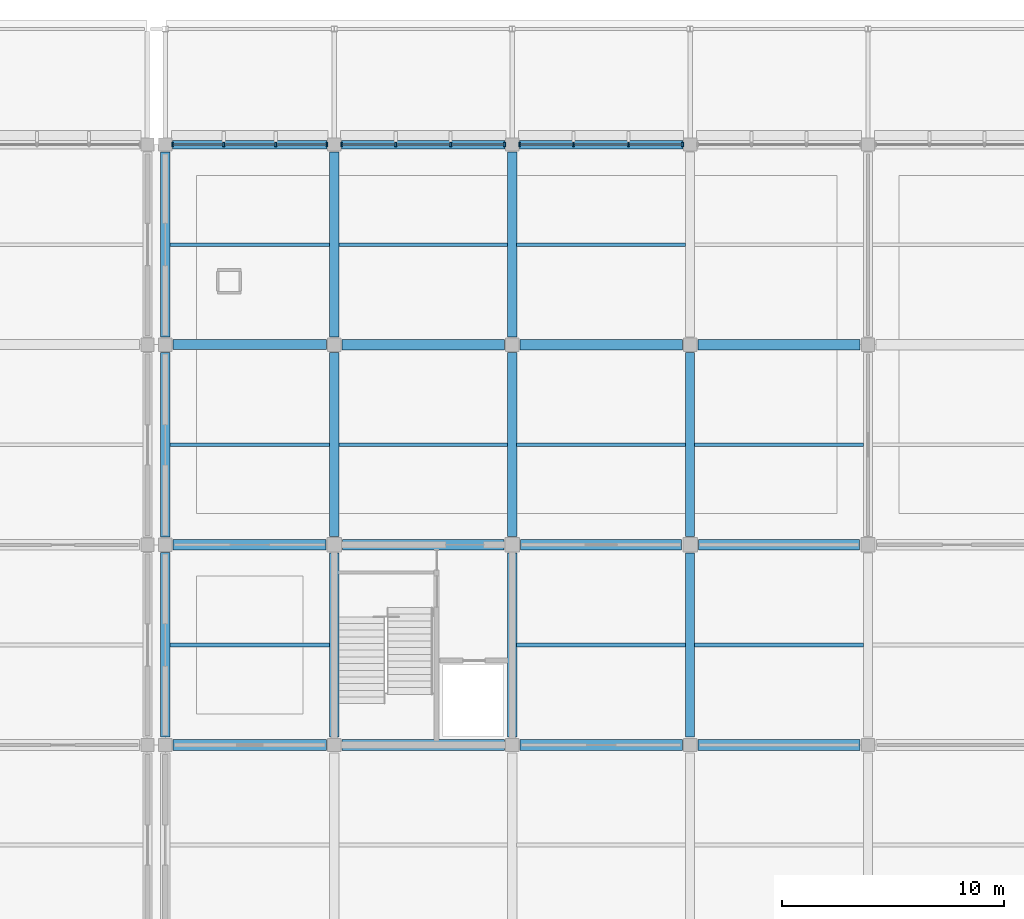
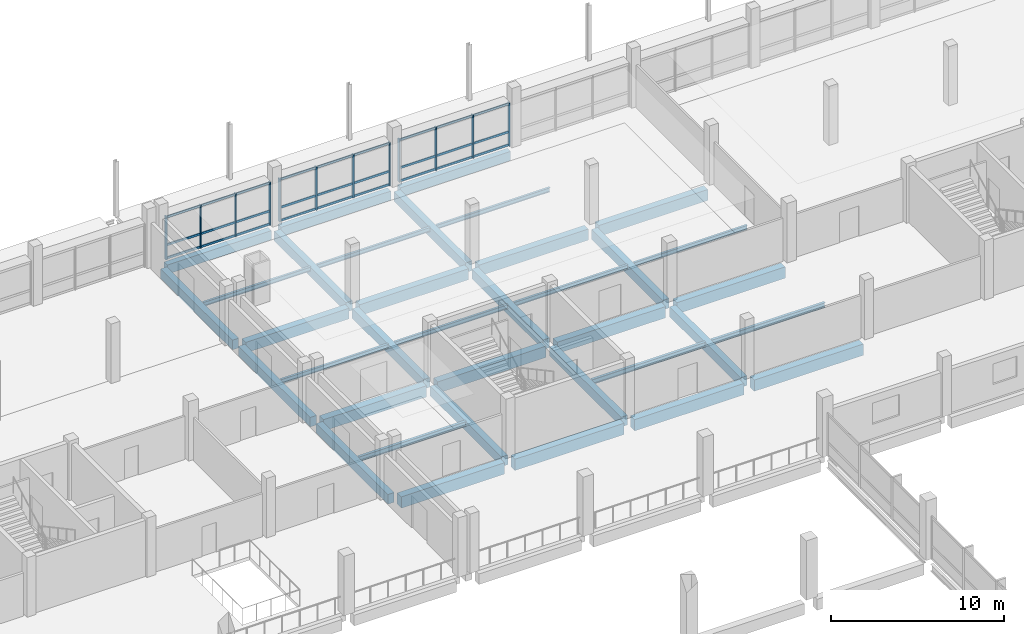
# One storey, part 20 of 57: 39 members, 36 beams, 3 elements without a shape of their own.
"""IFC4 building model written with IfcOpenShell, lengths in metres."""

from ifc_helpers import new_model, si_unit, direction, frame, origin, origin_2d, place, context, subcontext, project, spatial, rectangle, i_section, extrude, material, material_profile, profile_set, type_object, element, aggregate, save


model = new_model("IFC4")

# Units and contexts
model_context = context("Model", 3, precision=1e-05, world=origin(), true_north=direction((0.0, 1.0)))
body_context = subcontext(model_context, "Body", "Model", "MODEL_VIEW")
ifc_project = project(units=[si_unit("LENGTHUNIT", "METRE"), si_unit("AREAUNIT", "SQUARE_METRE"), si_unit("VOLUMEUNIT", "CUBIC_METRE"), si_unit("PLANEANGLEUNIT", "RADIAN"), si_unit("MASSUNIT", "GRAM", prefix="KILO"), si_unit("THERMODYNAMICTEMPERATUREUNIT", "KELVIN"), si_unit("POWERUNIT", "WATT")], contexts=[model_context])

# Site, building, storey
site_placement = place(None, origin())
site = spatial("IfcSite", under=ifc_project, at=site_placement, CompositionType="ELEMENT")
building_placement = place(site_placement, origin())
building = spatial("IfcBuilding", under=site, at=building_placement, Name="Kronsvod Quay Wholesale Market", CompositionType="ELEMENT")
storey_placement = place(building_placement, frame((0.0, 0.0, 4.800048828125)))
storey = spatial("IfcBuildingStorey", under=building, at=storey_placement, Name="L01", CompositionType="ELEMENT", Elevation=4.800048828125)

# Beams
ifc_material_1 = material(Name="Precast concrete C40/50", Category="concrete")
ifc_material_profile_1 = material_profile(ifc_material_1, rectangle(XDim=0.419921875, YDim=0.679931640625, at=origin_2d()), Name="PB-05")
ifc_profile_set_1 = profile_set([ifc_material_profile_1], Name="Precast concrete C40/50")
beam_type_1 = type_object("IfcBeamType", Name="Beam_PCB420x680", PredefinedType="BEAM", material=ifc_profile_set_1)
for number, where, z_axis, x_axis, name in (
    (1, (64.39990234375, 99.35009765625, -0.64013671875), (0.0, 1.0, 0.0), (-1.0, 0.0, 0.0), "BMY-L01-644-990"),
    (2, (64.39990234375, 108.35009765625, -0.64013671875), (0.0, 1.0, 0.0), (-1.0, 0.0, 0.0), "BMY-L01-644-1080"),
):
    element("IfcBeam", number, at=place(storey_placement, frame(where, z_axis=z_axis, x_axis=x_axis)), inside=storey, type_object=beam_type_1, Name=name, PredefinedType="BEAM", context=body_context, shape_type="SweptSolid", body=[
        extrude(rectangle(XDim=0.419921875, YDim=0.679931640625, at=origin_2d()), origin(), (0.0, 0.0, 1.0), 8.2998046875),
    ])
beam_1_placement = place(storey_placement, frame((64.39990234375, 117.35009765625, -0.64013671875), z_axis=(0.0, 1.0, 0.0), x_axis=(-1.0, 0.0, 0.0)))
element("IfcBeam", 3, at=beam_1_placement, inside=storey, type_object=beam_type_1, Name="BMY-L01-644-1170", PredefinedType="BEAM", context=body_context, shape_type="SweptSolid", body=[
    extrude(rectangle(XDim=0.419921875, YDim=0.679931640625, at=origin_2d()), origin(), (0.0, 0.0, 1.0), 8.324951171875),
])
for number, where, z_axis, x_axis, name in (
    (4, (72.0, 99.35009765625, -0.64013671875), (0.0, 1.0, 0.0), (-1.0, 0.0, 0.0), "BMY-L01-720-990"),
    (5, (72.0, 108.375, -0.64013671875), (0.0, 1.0, 0.0), (-1.0, 0.0, 0.0), "BMY-L01-720-1080"),
):
    element("IfcBeam", number, at=place(storey_placement, frame(where, z_axis=z_axis, x_axis=x_axis)), inside=storey, type_object=beam_type_1, Name=name, PredefinedType="BEAM", context=body_context, shape_type="SweptSolid", body=[
        extrude(rectangle(XDim=0.419921875, YDim=0.679931640625, at=origin_2d()), origin(), (0.0, 0.0, 1.0), 8.27490234375),
    ])
beam_2_placement = place(storey_placement, frame((72.0, 117.35009765625, -0.64013671875), z_axis=(0.0, 1.0, 0.0), x_axis=(-1.0, 0.0, 0.0)))
element("IfcBeam", 6, at=beam_2_placement, inside=storey, type_object=beam_type_1, Name="BMY-L01-720-1170", PredefinedType="BEAM", context=body_context, shape_type="SweptSolid", body=[
    extrude(rectangle(XDim=0.419921875, YDim=0.679931640625, at=origin_2d()), origin(), (0.0, 0.0, 1.0), 8.324951171875),
])
for number, where, z_axis, x_axis, name in (
    (7, (80.0, 99.35009765625, -0.64013671875), (0.0, 1.0, 0.0), (-1.0, 0.0, 0.0), "BMY-L01-800-990"),
    (8, (80.0, 108.375, -0.64013671875), (0.0, 1.0, 0.0), (-1.0, 0.0, 0.0), "BMY-L01-800-1080"),
):
    element("IfcBeam", number, at=place(storey_placement, frame(where, z_axis=z_axis, x_axis=x_axis)), inside=storey, type_object=beam_type_1, Name=name, PredefinedType="BEAM", context=body_context, shape_type="SweptSolid", body=[
        extrude(rectangle(XDim=0.419921875, YDim=0.679931640625, at=origin_2d()), origin(), (0.0, 0.0, 1.0), 8.27490234375),
    ])
beam_3_placement = place(storey_placement, frame((80.0, 117.35009765625, -0.64013671875), z_axis=(0.0, 1.0, 0.0), x_axis=(-1.0, 0.0, 0.0)))
element("IfcBeam", 9, at=beam_3_placement, inside=storey, type_object=beam_type_1, Name="BMY-L01-800-1170", PredefinedType="BEAM", context=body_context, shape_type="SweptSolid", body=[
    extrude(rectangle(XDim=0.419921875, YDim=0.679931640625, at=origin_2d()), origin(), (0.0, 0.0, 1.0), 8.324951171875),
])
for number, where, z_axis, x_axis, name in (
    (10, (88.0, 99.35009765625, -0.64013671875), (0.0, 1.0, 0.0), (-1.0, 0.0, 0.0), "BMY-L01-880-990"),
    (11, (88.0, 108.375, -0.64013671875), (0.0, 1.0, 0.0), (-1.0, 0.0, 0.0), "BMY-L01-880-1080"),
):
    element("IfcBeam", number, at=place(storey_placement, frame(where, z_axis=z_axis, x_axis=x_axis)), inside=storey, type_object=beam_type_1, Name=name, PredefinedType="BEAM", context=body_context, shape_type="SweptSolid", body=[
        extrude(rectangle(XDim=0.419921875, YDim=0.679931640625, at=origin_2d()), origin(), (0.0, 0.0, 1.0), 8.27490234375),
    ])
ifc_material_2 = material(Name="Precast concrete C40/50", Category="concrete")
ifc_material_profile_2 = material_profile(ifc_material_2, rectangle(XDim=0.449951171875, YDim=0.75, at=origin_2d()), Name="PCB450x750")
ifc_profile_set_2 = profile_set([ifc_material_profile_2], Name="Precast concrete C40/50")
beam_type_2 = type_object("IfcBeamType", Name="Beam_PCB450x750", PredefinedType="BEAM", material=ifc_profile_set_2)
beam_4_placement = place(storey_placement, frame((64.75, 117.0, -0.675048828125), z_axis=(1.0, 0.0, 0.0), x_axis=(0.0, 1.0, 0.0)))
element("IfcBeam", 12, at=beam_4_placement, inside=storey, type_object=beam_type_2, Name="BMX-L01-644-1170", PredefinedType="BEAM", context=body_context, shape_type="SweptSolid", body=[
    extrude(rectangle(XDim=0.449951171875, YDim=0.75, at=origin_2d()), origin(), (0.0, 0.0, 1.0), 6.89990234375),
])
ifc_material_3 = material(Name="Precast concrete C40/50", Category="concrete")
ifc_material_profile_3 = material_profile(ifc_material_3, rectangle(XDim=0.4599609375, YDim=0.780029296875, at=origin_2d()), Name="PB-03")
ifc_profile_set_3 = profile_set([ifc_material_profile_3], Name="Precast concrete C40/50")
beam_type_3 = type_object("IfcBeamType", Name="Beam_PCB460x780", PredefinedType="BEAM", material=ifc_profile_set_3)
for number, where, z_axis, x_axis, name in (
    (13, (72.35009765625, 117.0, -0.68994140625), (1.0, 0.0, 0.0), (0.0, 1.0, 0.0), "BMX-L01-720-1170"),
    (14, (80.35009765625, 117.0, -0.68994140625), (1.0, 0.0, 0.0), (0.0, 1.0, 0.0), "BMX-L01-800-1170"),
    (15, (88.35009765625, 117.0, -0.68994140625), (1.0, 0.0, 0.0), (0.0, 1.0, 0.0), "BMX-L01-880-1170"),
):
    element("IfcBeam", number, at=place(storey_placement, frame(where, z_axis=z_axis, x_axis=x_axis)), inside=storey, type_object=beam_type_3, Name=name, PredefinedType="BEAM", context=body_context, shape_type="SweptSolid", body=[
        extrude(rectangle(XDim=0.4599609375, YDim=0.780029296875, at=origin_2d()), origin(), (0.0, 0.0, 1.0), 7.2998046875),
    ])
ifc_material_4 = material(Name="Precast concrete C40/50", Category="concrete")
ifc_material_profile_4 = material_profile(ifc_material_4, rectangle(XDim=0.47998046875, YDim=0.800048828125, at=origin_2d()), Name="PB-04")
ifc_profile_set_4 = profile_set([ifc_material_profile_4], Name="Precast concrete C40/50")
beam_type_4 = type_object("IfcBeamType", Name="Beam_PCB480x800", PredefinedType="BEAM", material=ifc_profile_set_4)
beam_5_placement = place(storey_placement, frame((64.75, 99.0, -0.699951171875), z_axis=(1.0, 0.0, 0.0), x_axis=(0.0, 1.0, 0.0)))
element("IfcBeam", 16, at=beam_5_placement, inside=storey, type_object=beam_type_4, Name="BMX-L01-644-990", PredefinedType="BEAM", context=body_context, shape_type="SweptSolid", body=[
    extrude(rectangle(XDim=0.47998046875, YDim=0.800048828125, at=origin_2d()), origin(), (0.0, 0.0, 1.0), 6.89990234375),
])
for number, where, z_axis, x_axis, name in (
    (17, (72.35009765625, 99.0, -0.699951171875), (1.0, 0.0, 0.0), (0.0, 1.0, 0.0), "BMX-L01-720-990"),
    (18, (80.35009765625, 99.0, -0.699951171875), (1.0, 0.0, 0.0), (0.0, 1.0, 0.0), "BMX-L01-800-990"),
    (19, (88.35009765625, 99.0, -0.699951171875), (1.0, 0.0, 0.0), (0.0, 1.0, 0.0), "BMX-L01-880-990"),
):
    element("IfcBeam", number, at=place(storey_placement, frame(where, z_axis=z_axis, x_axis=x_axis)), inside=storey, type_object=beam_type_4, Name=name, PredefinedType="BEAM", context=body_context, shape_type="SweptSolid", body=[
        extrude(rectangle(XDim=0.47998046875, YDim=0.800048828125, at=origin_2d()), origin(), (0.0, 0.0, 1.0), 7.2998046875),
    ])
beam_6_placement = place(storey_placement, frame((64.75, 108.0, -0.699951171875), z_axis=(1.0, 0.0, 0.0), x_axis=(0.0, 1.0, 0.0)))
element("IfcBeam", 20, at=beam_6_placement, inside=storey, type_object=beam_type_4, Name="BMX-L01-644-1080", PredefinedType="BEAM", context=body_context, shape_type="SweptSolid", body=[
    extrude(rectangle(XDim=0.47998046875, YDim=0.800048828125, at=origin_2d()), origin(), (0.0, 0.0, 1.0), 6.875),
])
for number, where, z_axis, x_axis, name in (
    (21, (72.375, 108.0, -0.699951171875), (1.0, 0.0, 0.0), (0.0, 1.0, 0.0), "BMX-L01-720-1080"),
    (22, (80.375, 108.0, -0.699951171875), (1.0, 0.0, 0.0), (0.0, 1.0, 0.0), "BMX-L01-800-1080"),
    (23, (88.375, 108.0, -0.699951171875), (1.0, 0.0, 0.0), (0.0, 1.0, 0.0), "BMX-L01-880-1080"),
):
    element("IfcBeam", number, at=place(storey_placement, frame(where, z_axis=z_axis, x_axis=x_axis)), inside=storey, type_object=beam_type_4, Name=name, PredefinedType="BEAM", context=body_context, shape_type="SweptSolid", body=[
        extrude(rectangle(XDim=0.47998046875, YDim=0.800048828125, at=origin_2d()), origin(), (0.0, 0.0, 1.0), 7.25),
    ])
ifc_material_5 = material(Name="Steel S355", Category="steel")
ifc_material_profile_5 = material_profile(ifc_material_5, i_section(OverallWidth=0.14892578125, OverallDepth=0.298095703125, WebThickness=0.005615234375, FlangeThickness=0.008056640625, FilletRadius=0.012939453125, at=origin_2d()), Name="30B1")
ifc_profile_set_5 = profile_set([ifc_material_profile_5], Name="Steel S355")
beam_type_5 = type_object("IfcBeamType", Name="Joist_Steel30B1", PredefinedType="JOIST", material=ifc_profile_set_5)
for number, where, z_axis, x_axis, name in (
    (24, (64.60498046875, 112.5, -0.399169921875), (1.0, 0.0, 0.0), (0.0, 1.0, 0.0), "JSTX-L01-644-1080"),
    (25, (64.60498046875, 121.5, -0.399169921875), (1.0, 0.0, 0.0), (0.0, 1.0, 0.0), "JSTX-L01-644-1170"),
):
    element("IfcBeam", number, at=place(storey_placement, frame(where, z_axis=z_axis, x_axis=x_axis)), inside=storey, type_object=beam_type_5, Name=name, PredefinedType="JOIST", context=body_context, shape_type="SweptSolid", body=[
        extrude(i_section(OverallWidth=0.14892578125, OverallDepth=0.298095703125, WebThickness=0.005615234375, FlangeThickness=0.008056640625, FilletRadius=0.012939453125, at=origin_2d()), origin(), (0.0, 0.0, 1.0), 7.18994140625),
    ])
for number, where, z_axis, x_axis, name in (
    (26, (72.205078125, 112.5, -0.399169921875), (1.0, 0.0, 0.0), (0.0, 1.0, 0.0), "JSTX-L01-720-1080"),
    (27, (72.205078125, 121.5, -0.399169921875), (1.0, 0.0, 0.0), (0.0, 1.0, 0.0), "JSTX-L01-720-1170"),
    (28, (80.205078125, 112.5, -0.399169921875), (1.0, 0.0, 0.0), (0.0, 1.0, 0.0), "JSTX-L01-800-1080"),
    (29, (80.205078125, 121.5, -0.399169921875), (1.0, 0.0, 0.0), (0.0, 1.0, 0.0), "JSTX-L01-800-1170"),
    (30, (88.205078125, 112.5, -0.399169921875), (1.0, 0.0, 0.0), (0.0, 1.0, 0.0), "JSTX-L01-880-1080"),
):
    element("IfcBeam", number, at=place(storey_placement, frame(where, z_axis=z_axis, x_axis=x_axis)), inside=storey, type_object=beam_type_5, Name=name, PredefinedType="JOIST", context=body_context, shape_type="SweptSolid", body=[
        extrude(i_section(OverallWidth=0.14892578125, OverallDepth=0.298095703125, WebThickness=0.005615234375, FlangeThickness=0.008056640625, FilletRadius=0.012939453125, at=origin_2d()), origin(), (0.0, 0.0, 1.0), 7.58984375),
    ])
ifc_material_6 = material(Name="Steel S355", Category="steel")
ifc_material_profile_6 = material_profile(ifc_material_6, i_section(OverallWidth=0.175048828125, OverallDepth=0.35009765625, WebThickness=0.007080078125, FlangeThickness=0.010986328125, FilletRadius=0.013916015625, at=origin_2d()), Name="35B2")
ifc_profile_set_6 = profile_set([ifc_material_profile_6], Name="Steel S355")
beam_type_6 = type_object("IfcBeamType", Name="Joist_Steel35B2", PredefinedType="JOIST", material=ifc_profile_set_6)
beam_7_placement = place(storey_placement, frame((64.60498046875, 103.5, -0.425048828125), z_axis=(1.0, 0.0, 0.0), x_axis=(0.0, 1.0, 0.0)))
element("IfcBeam", 31, at=beam_7_placement, inside=storey, type_object=beam_type_6, Name="JSTX-L01-644-990", PredefinedType="JOIST", context=body_context, shape_type="SweptSolid", body=[
    extrude(i_section(OverallWidth=0.175048828125, OverallDepth=0.35009765625, WebThickness=0.007080078125, FlangeThickness=0.010986328125, FilletRadius=0.013916015625, at=origin_2d()), origin(), (0.0, 0.0, 1.0), 7.18994140625),
])
for number, where, z_axis, x_axis, name in (
    (32, (80.205078125, 103.5, -0.425048828125), (1.0, 0.0, 0.0), (0.0, 1.0, 0.0), "JSTX-L01-800-990"),
    (33, (88.205078125, 103.5, -0.425048828125), (1.0, 0.0, 0.0), (0.0, 1.0, 0.0), "JSTX-L01-880-990"),
):
    element("IfcBeam", number, at=place(storey_placement, frame(where, z_axis=z_axis, x_axis=x_axis)), inside=storey, type_object=beam_type_6, Name=name, PredefinedType="JOIST", context=body_context, shape_type="SweptSolid", body=[
        extrude(i_section(OverallWidth=0.175048828125, OverallDepth=0.35009765625, WebThickness=0.007080078125, FlangeThickness=0.010986328125, FilletRadius=0.013916015625, at=origin_2d()), origin(), (0.0, 0.0, 1.0), 7.58984375),
    ])

# Curtain wall, members
ifc_material_7 = material(Name="Thermally broken aluminium and triple low-E glazing", Category="aluminium")
curtain_wall_type_1 = type_object("IfcCurtainWallType", Name="CW_Harbour76x33", PredefinedType="NOTDEFINED", material=ifc_material_7)
curtain_wall_1_placement = place(storey_placement, origin())
curtain_wall_1 = element("IfcCurtainWall", 34, at=curtain_wall_1_placement, inside=storey, type_object=curtain_wall_type_1, Name="CWGX-L01-644-1260", PredefinedType="NOTDEFINED")
ifc_material_8 = material(Name="Anodised aluminium", Category="aluminium")
ifc_material_profile_7 = material_profile(ifc_material_8, rectangle(XDim=0.074951171875, YDim=0.199951171875, at=origin_2d()), Name="ALUM75x200")
ifc_profile_set_7 = profile_set([ifc_material_profile_7], Name="Anodised aluminium")
member_type_1 = type_object("IfcMemberType", Name="Mullion_ALU75x200", PredefinedType="MULLION", material=ifc_profile_set_7)
member_1_placement = place(storey_placement, frame((71.66748046875, 126.0, 0.0), z_axis=(0.0, 0.0, 1.0), x_axis=(1.0, 0.0, 0.0)))
member_1 = element("IfcMember", 35, at=member_1_placement, type_object=member_type_1, Name="CWGX-L01-644-1260-M1", PredefinedType="MULLION", context=body_context, shape_type="SweptSolid", body=[
    extrude(rectangle(XDim=0.074951171875, YDim=0.199951171875, at=origin_2d()), origin(), (0.0, 0.0, 1.0), 3.050048828125),
])
member_2_placement = place(storey_placement, frame((69.368408203125, 126.0, 0.0), z_axis=(0.0, 0.0, 1.0), x_axis=(1.0, 0.0, 0.0)))
member_2 = element("IfcMember", 36, at=member_2_placement, type_object=member_type_1, Name="CWGX-L01-644-1260-M2", PredefinedType="MULLION", context=body_context, shape_type="SweptSolid", body=[
    extrude(rectangle(XDim=0.074951171875, YDim=0.199951171875, at=origin_2d()), origin(), (0.0, 0.0, 1.0), 3.050048828125),
])
member_3_placement = place(storey_placement, frame((67.03173828125, 126.0, 0.0), z_axis=(0.0, 0.0, 1.0), x_axis=(1.0, 0.0, 0.0)))
member_3 = element("IfcMember", 37, at=member_3_placement, type_object=member_type_1, Name="CWGX-L01-644-1260-M3", PredefinedType="MULLION", context=body_context, shape_type="SweptSolid", body=[
    extrude(rectangle(XDim=0.074951171875, YDim=0.199951171875, at=origin_2d()), origin(), (0.0, 0.0, 1.0), 3.050048828125),
])
member_4_placement = place(storey_placement, frame((64.732421875, 126.0, 0.0), z_axis=(0.0, 0.0, 1.0), x_axis=(1.0, 0.0, 0.0)))
member_4 = element("IfcMember", 38, at=member_4_placement, type_object=member_type_1, Name="CWGX-L01-644-1260-M4", PredefinedType="MULLION", context=body_context, shape_type="SweptSolid", body=[
    extrude(rectangle(XDim=0.074951171875, YDim=0.199951171875, at=origin_2d()), origin(), (0.0, 0.0, 1.0), 3.050048828125),
])

ifc_material_9 = material(Name="Thermally broken aluminium and triple low-E glazing", Category="aluminium")
curtain_wall_type_2 = type_object("IfcCurtainWallType", Name="CW_Harbour80x33", PredefinedType="NOTDEFINED", material=ifc_material_9)
curtain_wall_2_placement = place(storey_placement, origin())
curtain_wall_2 = element("IfcCurtainWall", 39, at=curtain_wall_2_placement, inside=storey, type_object=curtain_wall_type_2, Name="CWGX-L01-720-1260", PredefinedType="NOTDEFINED")
member_5_placement = place(storey_placement, frame((79.66748046875, 126.0, 0.0), z_axis=(0.0, 0.0, 1.0), x_axis=(1.0, 0.0, 0.0)))
member_5 = element("IfcMember", 40, at=member_5_placement, type_object=member_type_1, Name="CWGX-L01-720-1260-M1", PredefinedType="MULLION", context=body_context, shape_type="SweptSolid", body=[
    extrude(rectangle(XDim=0.074951171875, YDim=0.199951171875, at=origin_2d()), origin(), (0.0, 0.0, 1.0), 3.050048828125),
])
member_6_placement = place(storey_placement, frame((77.235107421875, 126.0, 0.0), z_axis=(0.0, 0.0, 1.0), x_axis=(1.0, 0.0, 0.0)))
member_6 = element("IfcMember", 41, at=member_6_placement, type_object=member_type_1, Name="CWGX-L01-720-1260-M2", PredefinedType="MULLION", context=body_context, shape_type="SweptSolid", body=[
    extrude(rectangle(XDim=0.074951171875, YDim=0.199951171875, at=origin_2d()), origin(), (0.0, 0.0, 1.0), 3.050048828125),
])
member_7_placement = place(storey_placement, frame((74.764892578125, 126.0, 0.0), z_axis=(0.0, 0.0, 1.0), x_axis=(1.0, 0.0, 0.0)))
member_7 = element("IfcMember", 42, at=member_7_placement, type_object=member_type_1, Name="CWGX-L01-720-1260-M3", PredefinedType="MULLION", context=body_context, shape_type="SweptSolid", body=[
    extrude(rectangle(XDim=0.074951171875, YDim=0.199951171875, at=origin_2d()), origin(), (0.0, 0.0, 1.0), 3.050048828125),
])
member_8_placement = place(storey_placement, frame((72.33251953125, 126.0, 0.0), z_axis=(0.0, 0.0, 1.0), x_axis=(1.0, 0.0, 0.0)))
member_8 = element("IfcMember", 43, at=member_8_placement, type_object=member_type_1, Name="CWGX-L01-720-1260-M4", PredefinedType="MULLION", context=body_context, shape_type="SweptSolid", body=[
    extrude(rectangle(XDim=0.074951171875, YDim=0.199951171875, at=origin_2d()), origin(), (0.0, 0.0, 1.0), 3.050048828125),
])

curtain_wall_3_placement = place(storey_placement, origin())
curtain_wall_3 = element("IfcCurtainWall", 44, at=curtain_wall_3_placement, inside=storey, type_object=curtain_wall_type_2, Name="CWGX-L01-800-1260", PredefinedType="NOTDEFINED")
member_9_placement = place(storey_placement, frame((87.66748046875, 126.0, 0.0), z_axis=(0.0, 0.0, 1.0), x_axis=(1.0, 0.0, 0.0)))
member_9 = element("IfcMember", 45, at=member_9_placement, type_object=member_type_1, Name="CWGX-L01-800-1260-M1", PredefinedType="MULLION", context=body_context, shape_type="SweptSolid", body=[
    extrude(rectangle(XDim=0.074951171875, YDim=0.199951171875, at=origin_2d()), origin(), (0.0, 0.0, 1.0), 3.050048828125),
])
member_10_placement = place(storey_placement, frame((85.235107421875, 126.0, 0.0), z_axis=(0.0, 0.0, 1.0), x_axis=(1.0, 0.0, 0.0)))
member_10 = element("IfcMember", 46, at=member_10_placement, type_object=member_type_1, Name="CWGX-L01-800-1260-M2", PredefinedType="MULLION", context=body_context, shape_type="SweptSolid", body=[
    extrude(rectangle(XDim=0.074951171875, YDim=0.199951171875, at=origin_2d()), origin(), (0.0, 0.0, 1.0), 3.050048828125),
])
member_11_placement = place(storey_placement, frame((82.764892578125, 126.0, 0.0), z_axis=(0.0, 0.0, 1.0), x_axis=(1.0, 0.0, 0.0)))
member_11 = element("IfcMember", 47, at=member_11_placement, type_object=member_type_1, Name="CWGX-L01-800-1260-M3", PredefinedType="MULLION", context=body_context, shape_type="SweptSolid", body=[
    extrude(rectangle(XDim=0.074951171875, YDim=0.199951171875, at=origin_2d()), origin(), (0.0, 0.0, 1.0), 3.050048828125),
])
member_12_placement = place(storey_placement, frame((80.33251953125, 126.0, 0.0), z_axis=(0.0, 0.0, 1.0), x_axis=(1.0, 0.0, 0.0)))
member_12 = element("IfcMember", 48, at=member_12_placement, type_object=member_type_1, Name="CWGX-L01-800-1260-M4", PredefinedType="MULLION", context=body_context, shape_type="SweptSolid", body=[
    extrude(rectangle(XDim=0.074951171875, YDim=0.199951171875, at=origin_2d()), origin(), (0.0, 0.0, 1.0), 3.050048828125),
])

# Beams
ifc_material_10 = material(Name="Precast concrete C40/50", Category="concrete")
ifc_material_profile_8 = material_profile(ifc_material_10, rectangle(XDim=0.3798828125, YDim=0.64990234375, at=origin_2d()), Name="SPB-03")
ifc_profile_set_8 = profile_set([ifc_material_profile_8], Name="Precast concrete C40/50")
beam_type_7 = type_object("IfcBeamType", Name="Spandrel_PCSP380x650", PredefinedType="SPANDREL", material=ifc_profile_set_8)
beam_8_placement = place(storey_placement, frame((64.72509765625, 126.0, -0.625), z_axis=(1.0, 0.0, 0.0), x_axis=(0.0, 1.0, 0.0)))
element("IfcBeam", 49, at=beam_8_placement, inside=storey, type_object=beam_type_7, Name="BMX-L01-644-1260", PredefinedType="SPANDREL", context=body_context, shape_type="SweptSolid", body=[
    extrude(rectangle(XDim=0.3798828125, YDim=0.64990234375, at=origin_2d()), origin(), (0.0, 0.0, 1.0), 6.949951171875),
])
for number, where, z_axis, x_axis, name in (
    (50, (72.324951171875, 126.0, -0.625), (1.0, 0.0, 0.0), (0.0, 1.0, 0.0), "BMX-L01-720-1260"),
    (51, (80.324951171875, 126.0, -0.625), (1.0, 0.0, 0.0), (0.0, 1.0, 0.0), "BMX-L01-800-1260"),
):
    element("IfcBeam", number, at=place(storey_placement, frame(where, z_axis=z_axis, x_axis=x_axis)), inside=storey, type_object=beam_type_7, Name=name, PredefinedType="SPANDREL", context=body_context, shape_type="SweptSolid", body=[
        extrude(rectangle(XDim=0.3798828125, YDim=0.64990234375, at=origin_2d()), origin(), (0.0, 0.0, 1.0), 7.35009765625),
    ])

# Member
ifc_material_11 = material(Name="Anodised aluminium", Category="aluminium")
ifc_material_profile_9 = material_profile(ifc_material_11, rectangle(XDim=0.074951171875, YDim=0.14990234375, at=origin_2d()), Name="ALUT75x150")
ifc_profile_set_9 = profile_set([ifc_material_profile_9], Name="Anodised aluminium")
member_type_2 = type_object("IfcMemberType", Name="Transom_ALU75x150", PredefinedType="USERDEFINED", material=ifc_profile_set_9)
member_13_placement = place(storey_placement, frame((71.6298828125, 126.0, 0.074951171875), z_axis=(-1.0, 0.0, 0.0), x_axis=(0.0, -1.0, 0.0)))
member_13 = element("IfcMember", 52, at=member_13_placement, type_object=member_type_2, Name="CWGX-L01-644-1260-T1B1", ObjectType="TRANSOM", PredefinedType="USERDEFINED", context=body_context, shape_type="SweptSolid", body=[
    extrude(rectangle(XDim=0.074951171875, YDim=0.14990234375, at=origin_2d()), origin(), (0.0, 0.0, 1.0), 2.22412109375),
])

member_14_placement = place(storey_placement, frame((69.330810546875, 126.0, 0.074951171875), z_axis=(-1.0, 0.0, 0.0), x_axis=(0.0, -1.0, 0.0)))
member_14 = element("IfcMember", 53, at=member_14_placement, type_object=member_type_2, Name="CWGX-L01-644-1260-T1B2", ObjectType="TRANSOM", PredefinedType="USERDEFINED", context=body_context, shape_type="SweptSolid", body=[
    extrude(rectangle(XDim=0.074951171875, YDim=0.14990234375, at=origin_2d()), origin(), (0.0, 0.0, 1.0), 2.26171875),
])

member_15_placement = place(storey_placement, frame((66.994140625, 126.0, 0.074951171875), z_axis=(-1.0, 0.0, 0.0), x_axis=(0.0, -1.0, 0.0)))
member_15 = element("IfcMember", 54, at=member_15_placement, type_object=member_type_2, Name="CWGX-L01-644-1260-T1B3", ObjectType="TRANSOM", PredefinedType="USERDEFINED", context=body_context, shape_type="SweptSolid", body=[
    extrude(rectangle(XDim=0.074951171875, YDim=0.14990234375, at=origin_2d()), origin(), (0.0, 0.0, 1.0), 2.22412109375),
])

member_16_placement = place(storey_placement, frame((71.6298828125, 126.0, 1.0), z_axis=(-1.0, 0.0, 0.0), x_axis=(0.0, -1.0, 0.0)))
member_16 = element("IfcMember", 55, at=member_16_placement, type_object=member_type_2, Name="CWGX-L01-644-1260-T2B1", ObjectType="TRANSOM", PredefinedType="USERDEFINED", context=body_context, shape_type="SweptSolid", body=[
    extrude(rectangle(XDim=0.074951171875, YDim=0.14990234375, at=origin_2d()), origin(), (0.0, 0.0, 1.0), 2.22412109375),
])

member_17_placement = place(storey_placement, frame((69.330810546875, 126.0, 1.0), z_axis=(-1.0, 0.0, 0.0), x_axis=(0.0, -1.0, 0.0)))
member_17 = element("IfcMember", 56, at=member_17_placement, type_object=member_type_2, Name="CWGX-L01-644-1260-T2B2", ObjectType="TRANSOM", PredefinedType="USERDEFINED", context=body_context, shape_type="SweptSolid", body=[
    extrude(rectangle(XDim=0.074951171875, YDim=0.14990234375, at=origin_2d()), origin(), (0.0, 0.0, 1.0), 2.26171875),
])

member_18_placement = place(storey_placement, frame((66.994140625, 126.0, 1.0), z_axis=(-1.0, 0.0, 0.0), x_axis=(0.0, -1.0, 0.0)))
member_18 = element("IfcMember", 57, at=member_18_placement, type_object=member_type_2, Name="CWGX-L01-644-1260-T2B3", ObjectType="TRANSOM", PredefinedType="USERDEFINED", context=body_context, shape_type="SweptSolid", body=[
    extrude(rectangle(XDim=0.074951171875, YDim=0.14990234375, at=origin_2d()), origin(), (0.0, 0.0, 1.0), 2.22412109375),
])

member_19_placement = place(storey_placement, frame((71.6298828125, 126.0, 2.974853515625), z_axis=(-1.0, 0.0, 0.0), x_axis=(0.0, -1.0, 0.0)))
member_19 = element("IfcMember", 58, at=member_19_placement, type_object=member_type_2, Name="CWGX-L01-644-1260-T3B1", ObjectType="TRANSOM", PredefinedType="USERDEFINED", context=body_context, shape_type="SweptSolid", body=[
    extrude(rectangle(XDim=0.074951171875, YDim=0.14990234375, at=origin_2d()), origin(), (0.0, 0.0, 1.0), 2.22412109375),
])

member_20_placement = place(storey_placement, frame((69.330810546875, 126.0, 2.974853515625), z_axis=(-1.0, 0.0, 0.0), x_axis=(0.0, -1.0, 0.0)))
member_20 = element("IfcMember", 59, at=member_20_placement, type_object=member_type_2, Name="CWGX-L01-644-1260-T3B2", ObjectType="TRANSOM", PredefinedType="USERDEFINED", context=body_context, shape_type="SweptSolid", body=[
    extrude(rectangle(XDim=0.074951171875, YDim=0.14990234375, at=origin_2d()), origin(), (0.0, 0.0, 1.0), 2.26171875),
])

member_21_placement = place(storey_placement, frame((66.994140625, 126.0, 2.974853515625), z_axis=(-1.0, 0.0, 0.0), x_axis=(0.0, -1.0, 0.0)))
member_21 = element("IfcMember", 60, at=member_21_placement, type_object=member_type_2, Name="CWGX-L01-644-1260-T3B3", ObjectType="TRANSOM", PredefinedType="USERDEFINED", context=body_context, shape_type="SweptSolid", body=[
    extrude(rectangle(XDim=0.074951171875, YDim=0.14990234375, at=origin_2d()), origin(), (0.0, 0.0, 1.0), 2.22412109375),
])

aggregate(curtain_wall_1, [member_1, member_2, member_3, member_4, member_13, member_14, member_15, member_16, member_17, member_18, member_19, member_20, member_21])

member_22_placement = place(storey_placement, frame((79.6298828125, 126.0, 0.074951171875), z_axis=(-1.0, 0.0, 0.0), x_axis=(0.0, -1.0, 0.0)))
member_22 = element("IfcMember", 61, at=member_22_placement, type_object=member_type_2, Name="CWGX-L01-720-1260-T1B1", ObjectType="TRANSOM", PredefinedType="USERDEFINED", context=body_context, shape_type="SweptSolid", body=[
    extrude(rectangle(XDim=0.074951171875, YDim=0.14990234375, at=origin_2d()), origin(), (0.0, 0.0, 1.0), 2.357421875),
])

member_23_placement = place(storey_placement, frame((77.197509765625, 126.0, 0.074951171875), z_axis=(-1.0, 0.0, 0.0), x_axis=(0.0, -1.0, 0.0)))
member_23 = element("IfcMember", 62, at=member_23_placement, type_object=member_type_2, Name="CWGX-L01-720-1260-T1B2", ObjectType="TRANSOM", PredefinedType="USERDEFINED", context=body_context, shape_type="SweptSolid", body=[
    extrude(rectangle(XDim=0.074951171875, YDim=0.14990234375, at=origin_2d()), origin(), (0.0, 0.0, 1.0), 2.39501953125),
])

member_24_placement = place(storey_placement, frame((74.7275390625, 126.0, 0.074951171875), z_axis=(-1.0, 0.0, 0.0), x_axis=(0.0, -1.0, 0.0)))
member_24 = element("IfcMember", 63, at=member_24_placement, type_object=member_type_2, Name="CWGX-L01-720-1260-T1B3", ObjectType="TRANSOM", PredefinedType="USERDEFINED", context=body_context, shape_type="SweptSolid", body=[
    extrude(rectangle(XDim=0.074951171875, YDim=0.14990234375, at=origin_2d()), origin(), (0.0, 0.0, 1.0), 2.357421875),
])

member_25_placement = place(storey_placement, frame((79.6298828125, 126.0, 1.0), z_axis=(-1.0, 0.0, 0.0), x_axis=(0.0, -1.0, 0.0)))
member_25 = element("IfcMember", 64, at=member_25_placement, type_object=member_type_2, Name="CWGX-L01-720-1260-T2B1", ObjectType="TRANSOM", PredefinedType="USERDEFINED", context=body_context, shape_type="SweptSolid", body=[
    extrude(rectangle(XDim=0.074951171875, YDim=0.14990234375, at=origin_2d()), origin(), (0.0, 0.0, 1.0), 2.357421875),
])

member_26_placement = place(storey_placement, frame((77.197509765625, 126.0, 1.0), z_axis=(-1.0, 0.0, 0.0), x_axis=(0.0, -1.0, 0.0)))
member_26 = element("IfcMember", 65, at=member_26_placement, type_object=member_type_2, Name="CWGX-L01-720-1260-T2B2", ObjectType="TRANSOM", PredefinedType="USERDEFINED", context=body_context, shape_type="SweptSolid", body=[
    extrude(rectangle(XDim=0.074951171875, YDim=0.14990234375, at=origin_2d()), origin(), (0.0, 0.0, 1.0), 2.39501953125),
])

member_27_placement = place(storey_placement, frame((74.7275390625, 126.0, 1.0), z_axis=(-1.0, 0.0, 0.0), x_axis=(0.0, -1.0, 0.0)))
member_27 = element("IfcMember", 66, at=member_27_placement, type_object=member_type_2, Name="CWGX-L01-720-1260-T2B3", ObjectType="TRANSOM", PredefinedType="USERDEFINED", context=body_context, shape_type="SweptSolid", body=[
    extrude(rectangle(XDim=0.074951171875, YDim=0.14990234375, at=origin_2d()), origin(), (0.0, 0.0, 1.0), 2.357421875),
])

member_28_placement = place(storey_placement, frame((79.6298828125, 126.0, 2.974853515625), z_axis=(-1.0, 0.0, 0.0), x_axis=(0.0, -1.0, 0.0)))
member_28 = element("IfcMember", 67, at=member_28_placement, type_object=member_type_2, Name="CWGX-L01-720-1260-T3B1", ObjectType="TRANSOM", PredefinedType="USERDEFINED", context=body_context, shape_type="SweptSolid", body=[
    extrude(rectangle(XDim=0.074951171875, YDim=0.14990234375, at=origin_2d()), origin(), (0.0, 0.0, 1.0), 2.357421875),
])

member_29_placement = place(storey_placement, frame((77.197509765625, 126.0, 2.974853515625), z_axis=(-1.0, 0.0, 0.0), x_axis=(0.0, -1.0, 0.0)))
member_29 = element("IfcMember", 68, at=member_29_placement, type_object=member_type_2, Name="CWGX-L01-720-1260-T3B2", ObjectType="TRANSOM", PredefinedType="USERDEFINED", context=body_context, shape_type="SweptSolid", body=[
    extrude(rectangle(XDim=0.074951171875, YDim=0.14990234375, at=origin_2d()), origin(), (0.0, 0.0, 1.0), 2.39501953125),
])

member_30_placement = place(storey_placement, frame((74.7275390625, 126.0, 2.974853515625), z_axis=(-1.0, 0.0, 0.0), x_axis=(0.0, -1.0, 0.0)))
member_30 = element("IfcMember", 69, at=member_30_placement, type_object=member_type_2, Name="CWGX-L01-720-1260-T3B3", ObjectType="TRANSOM", PredefinedType="USERDEFINED", context=body_context, shape_type="SweptSolid", body=[
    extrude(rectangle(XDim=0.074951171875, YDim=0.14990234375, at=origin_2d()), origin(), (0.0, 0.0, 1.0), 2.357421875),
])

aggregate(curtain_wall_2, [member_5, member_6, member_7, member_8, member_22, member_23, member_24, member_25, member_26, member_27, member_28, member_29, member_30])

member_31_placement = place(storey_placement, frame((87.6298828125, 126.0, 0.074951171875), z_axis=(-1.0, 0.0, 0.0), x_axis=(0.0, -1.0, 0.0)))
member_31 = element("IfcMember", 70, at=member_31_placement, type_object=member_type_2, Name="CWGX-L01-800-1260-T1B1", ObjectType="TRANSOM", PredefinedType="USERDEFINED", context=body_context, shape_type="SweptSolid", body=[
    extrude(rectangle(XDim=0.074951171875, YDim=0.14990234375, at=origin_2d()), origin(), (0.0, 0.0, 1.0), 2.357421875),
])

member_32_placement = place(storey_placement, frame((85.197509765625, 126.0, 0.074951171875), z_axis=(-1.0, 0.0, 0.0), x_axis=(0.0, -1.0, 0.0)))
member_32 = element("IfcMember", 71, at=member_32_placement, type_object=member_type_2, Name="CWGX-L01-800-1260-T1B2", ObjectType="TRANSOM", PredefinedType="USERDEFINED", context=body_context, shape_type="SweptSolid", body=[
    extrude(rectangle(XDim=0.074951171875, YDim=0.14990234375, at=origin_2d()), origin(), (0.0, 0.0, 1.0), 2.39501953125),
])

member_33_placement = place(storey_placement, frame((82.7275390625, 126.0, 0.074951171875), z_axis=(-1.0, 0.0, 0.0), x_axis=(0.0, -1.0, 0.0)))
member_33 = element("IfcMember", 72, at=member_33_placement, type_object=member_type_2, Name="CWGX-L01-800-1260-T1B3", ObjectType="TRANSOM", PredefinedType="USERDEFINED", context=body_context, shape_type="SweptSolid", body=[
    extrude(rectangle(XDim=0.074951171875, YDim=0.14990234375, at=origin_2d()), origin(), (0.0, 0.0, 1.0), 2.357421875),
])

member_34_placement = place(storey_placement, frame((87.6298828125, 126.0, 1.0), z_axis=(-1.0, 0.0, 0.0), x_axis=(0.0, -1.0, 0.0)))
member_34 = element("IfcMember", 73, at=member_34_placement, type_object=member_type_2, Name="CWGX-L01-800-1260-T2B1", ObjectType="TRANSOM", PredefinedType="USERDEFINED", context=body_context, shape_type="SweptSolid", body=[
    extrude(rectangle(XDim=0.074951171875, YDim=0.14990234375, at=origin_2d()), origin(), (0.0, 0.0, 1.0), 2.357421875),
])

member_35_placement = place(storey_placement, frame((85.197509765625, 126.0, 1.0), z_axis=(-1.0, 0.0, 0.0), x_axis=(0.0, -1.0, 0.0)))
member_35 = element("IfcMember", 74, at=member_35_placement, type_object=member_type_2, Name="CWGX-L01-800-1260-T2B2", ObjectType="TRANSOM", PredefinedType="USERDEFINED", context=body_context, shape_type="SweptSolid", body=[
    extrude(rectangle(XDim=0.074951171875, YDim=0.14990234375, at=origin_2d()), origin(), (0.0, 0.0, 1.0), 2.39501953125),
])

member_36_placement = place(storey_placement, frame((82.7275390625, 126.0, 1.0), z_axis=(-1.0, 0.0, 0.0), x_axis=(0.0, -1.0, 0.0)))
member_36 = element("IfcMember", 75, at=member_36_placement, type_object=member_type_2, Name="CWGX-L01-800-1260-T2B3", ObjectType="TRANSOM", PredefinedType="USERDEFINED", context=body_context, shape_type="SweptSolid", body=[
    extrude(rectangle(XDim=0.074951171875, YDim=0.14990234375, at=origin_2d()), origin(), (0.0, 0.0, 1.0), 2.357421875),
])

member_37_placement = place(storey_placement, frame((87.6298828125, 126.0, 2.974853515625), z_axis=(-1.0, 0.0, 0.0), x_axis=(0.0, -1.0, 0.0)))
member_37 = element("IfcMember", 76, at=member_37_placement, type_object=member_type_2, Name="CWGX-L01-800-1260-T3B1", ObjectType="TRANSOM", PredefinedType="USERDEFINED", context=body_context, shape_type="SweptSolid", body=[
    extrude(rectangle(XDim=0.074951171875, YDim=0.14990234375, at=origin_2d()), origin(), (0.0, 0.0, 1.0), 2.357421875),
])

member_38_placement = place(storey_placement, frame((85.197509765625, 126.0, 2.974853515625), z_axis=(-1.0, 0.0, 0.0), x_axis=(0.0, -1.0, 0.0)))
member_38 = element("IfcMember", 77, at=member_38_placement, type_object=member_type_2, Name="CWGX-L01-800-1260-T3B2", ObjectType="TRANSOM", PredefinedType="USERDEFINED", context=body_context, shape_type="SweptSolid", body=[
    extrude(rectangle(XDim=0.074951171875, YDim=0.14990234375, at=origin_2d()), origin(), (0.0, 0.0, 1.0), 2.39501953125),
])

member_39_placement = place(storey_placement, frame((82.7275390625, 126.0, 2.974853515625), z_axis=(-1.0, 0.0, 0.0), x_axis=(0.0, -1.0, 0.0)))
member_39 = element("IfcMember", 78, at=member_39_placement, type_object=member_type_2, Name="CWGX-L01-800-1260-T3B3", ObjectType="TRANSOM", PredefinedType="USERDEFINED", context=body_context, shape_type="SweptSolid", body=[
    extrude(rectangle(XDim=0.074951171875, YDim=0.14990234375, at=origin_2d()), origin(), (0.0, 0.0, 1.0), 2.357421875),
])

aggregate(curtain_wall_3, [member_9, member_10, member_11, member_12, member_31, member_32, member_33, member_34, member_35, member_36, member_37, member_38, member_39])

save(model, "model.ifc")
